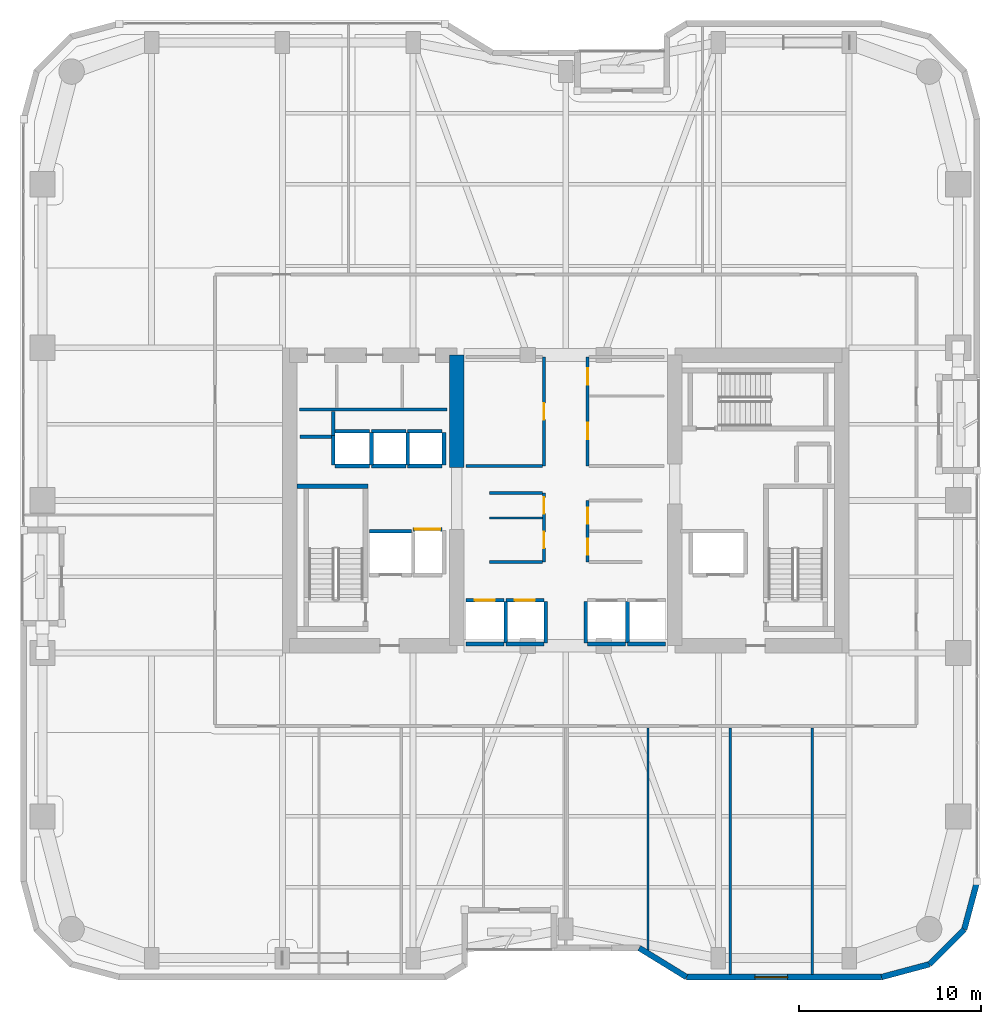
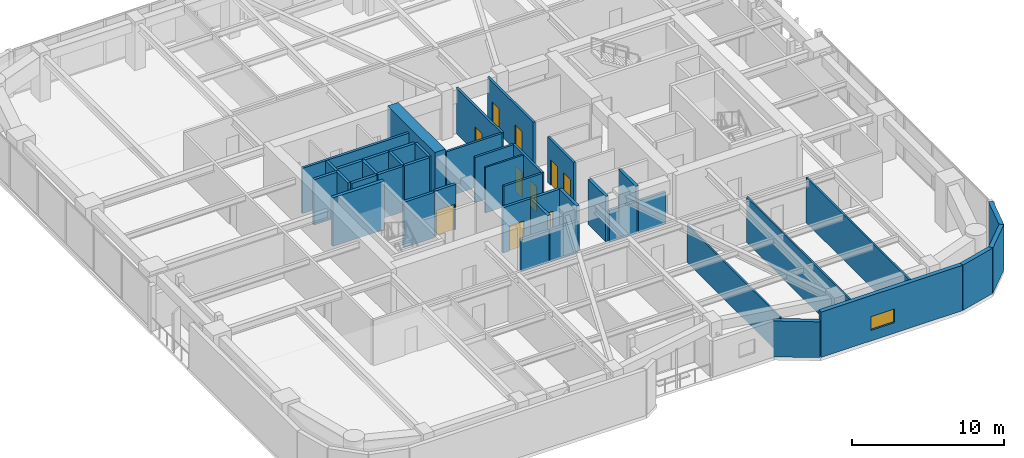
# One storey, part 19 of 24: 43 walls, 10 doors, 1 window, 11 openings.
"""IFC4 building model written with IfcOpenShell, lengths in metres."""

from ifc_helpers import new_model, si_unit, direction, frame, frame_2d, origin, place, context, subcontext, project, spatial, rectangle, extrude, material, layer, layer_set, type_object, element, fill, save


model = new_model("IFC4")

# Units and contexts
model_context = context("Model", 3, precision=1e-05, world=origin(), true_north=direction((0.0, 1.0)))
body_context = subcontext(model_context, "Body", "Model", "MODEL_VIEW")
ifc_project = project(units=[si_unit("LENGTHUNIT", "METRE"), si_unit("AREAUNIT", "SQUARE_METRE"), si_unit("VOLUMEUNIT", "CUBIC_METRE"), si_unit("PLANEANGLEUNIT", "RADIAN"), si_unit("MASSUNIT", "GRAM", prefix="KILO")], contexts=[model_context])

# Site, building, storey
site_placement = place(None, origin())
site = spatial("IfcSite", under=ifc_project, at=site_placement, CompositionType="ELEMENT")
building_placement = place(site_placement, origin())
building = spatial("IfcBuilding", under=site, at=building_placement, Name="Kiyonajd Concourse Tower", CompositionType="ELEMENT")
storey_placement = place(building_placement, frame((0.0, 0.0, 109.199951171875)))
storey = spatial("IfcBuildingStorey", under=building, at=storey_placement, Name="L28", CompositionType="ELEMENT", Elevation=109.199951171875)

# Walls
ifc_material_1 = material(Name="Concrete C70/85", Category="concrete")
ifc_layer_1 = layer(ifc_material_1, 0.800048828125)
ifc_layer_set_1 = layer_set([ifc_layer_1], Name="Concrete C70/85")
wall_type_1 = type_object("IfcWallType", Name="WL-CORE-800", PredefinedType="SHEAR", material=ifc_layer_set_1)
wall_1_placement = place(storey_placement, frame((42.0, 37.800048828125, 0.0), z_axis=(0.0, 0.0, 1.0), x_axis=(0.0, 1.0, 0.0)))
element("IfcWall", 1, at=wall_1_placement, inside=storey, type_object=wall_type_1, Name="L28 West Core Inner North Shear Wall", PredefinedType="SHEAR", context=body_context, shape_type="SweptSolid", body=[
    extrude(rectangle(XDim=6.199951171875, YDim=0.800048828125, at=frame_2d((3.10009765625, 0.0))), origin(), (0.0, 0.0, 1.0), 3.900146484375),
])
ifc_material_2 = material(Name="Precast concrete C50/60", Category="concrete")
ifc_layer_2 = layer(ifc_material_2, 0.320068359375)
ifc_layer_set_2 = layer_set([ifc_layer_2], Name="Precast concrete C50/60")
wall_type_2 = type_object("IfcWallType", Name="WL-EXT-320", PredefinedType="SOLIDWALL", material=ifc_layer_set_2)
wall_2_placement = place(storey_placement, frame((70.639892578125, 15.02099609375, 0.0), z_axis=(0.0, 0.0, 1.0), x_axis=(-0.258613949072, -0.965980758269, 0.0)))
element("IfcWall", 2, at=wall_2_placement, inside=storey, type_object=wall_type_2, Name="L28 Exterior Concrete Frame Wall 25", PredefinedType="SOLIDWALL", context=body_context, shape_type="SweptSolid", body=[
    extrude(rectangle(XDim=2.731201171875, YDim=0.320068359375, at=frame_2d((1.36572265625, 0.0))), origin(), (0.0, 0.0, 1.0), 3.64013671875),
])
wall_3_placement = place(storey_placement, frame((69.93359375, 12.3828125, 0.0), z_axis=(0.0, 0.0, 1.0), x_axis=(-0.707151821269, -0.707061738235, 0.0)))
element("IfcWall", 3, at=wall_3_placement, inside=storey, type_object=wall_type_2, Name="L28 Exterior Concrete Frame Wall 26", PredefinedType="SOLIDWALL", context=body_context, shape_type="SweptSolid", body=[
    extrude(rectangle(XDim=2.710205078125, YDim=0.320068359375, at=frame_2d((1.35498046875, 0.0))), origin(), (0.0, 0.0, 1.0), 3.64013671875),
])
wall_4_placement = place(storey_placement, frame((68.01708984375, 10.466552734375, 0.0), z_axis=(0.0, 0.0, 1.0), x_axis=(-0.965958423373, -0.25869736047, 0.0)))
element("IfcWall", 4, at=wall_4_placement, inside=storey, type_object=wall_type_2, Name="L28 Exterior Concrete Frame Wall 27", PredefinedType="SOLIDWALL", context=body_context, shape_type="SweptSolid", body=[
    extrude(rectangle(XDim=2.731201171875, YDim=0.320068359375, at=frame_2d((1.36572265625, 0.0))), origin(), (0.0, 0.0, 1.0), 3.64013671875),
])

# Wall, opening, window
wall_5_placement = place(storey_placement, frame((65.37890625, 9.760009765625, 0.0), z_axis=(0.0, 0.0, 1.0), x_axis=(-1.0, 0.0, 0.0)))
wall_5 = element("IfcWall", 5, at=wall_5_placement, inside=storey, type_object=wall_type_2, Name="L28 Exterior Concrete Frame Wall 28", PredefinedType="SOLIDWALL", context=body_context, shape_type="SweptSolid", body=[
    extrude(rectangle(XDim=10.733642578125, YDim=0.320068359375, at=frame_2d((5.36669921875, 0.0))), origin(), (0.0, 0.0, 1.0), 3.64013671875),
])
opening_1_placement = place(wall_5_placement, frame((5.1689453125, 0.0, 0.85009765625)))
opening_1 = element("IfcOpeningElement", 6, at=opening_1_placement, cuts=wall_5, Name="Opening WN1", PredefinedType="OPENING", context=body_context, shape_type="SweptSolid", body=[
    extrude(rectangle(XDim=1.800048828125, YDim=1.10009765625, at=frame_2d((0.89990234375, 0.550048828125))), frame((0.0, 0.169921875, 0.0), z_axis=(0.0, -1.0, 0.0), x_axis=(1.0, 0.0, 0.0)), (0.0, 0.0, 1.0), 0.340087890625),
])
ifc_material_3 = material(Name="Double Low-E Insulated Glass", Category="glass")
window_type = type_object("IfcWindowType", Name="WN-VIS-1800x1100", PartitioningType="SINGLE_PANEL", PredefinedType="WINDOW", material=ifc_material_3)
window_placement = place(opening_1_placement, origin())
window = element("IfcWindow", 7, at=window_placement, inside=storey, type_object=window_type, Name="L28 Modular Facade Vision Window 28", OverallHeight=1.10009765625, OverallWidth=1.800048828125, PartitioningType="SINGLE_PANEL", PredefinedType="WINDOW", context=body_context, shape_type="SweptSolid", body=[
    extrude(rectangle(XDim=1.800048828125, YDim=1.10009765625, at=frame_2d((0.89990234375, 0.550048828125))), frame((0.0, 0.030029296875, 0.0), z_axis=(0.0, -1.0, 0.0), x_axis=(1.0, 0.0, 0.0)), (0.0, 0.0, 1.0), 0.06005859375),
])
fill(opening_1, window)

# Walls
wall_6_placement = place(storey_placement, frame((54.645263671875, 9.760009765625, 0.0), z_axis=(0.0, 0.0, 1.0), x_axis=(-0.851630857047, 0.524142044989, 0.0)))
element("IfcWall", 8, at=wall_6_placement, inside=storey, type_object=wall_type_2, Name="L28 Exterior Concrete Frame Wall 29", PredefinedType="SOLIDWALL", context=body_context, shape_type="SweptSolid", body=[
    extrude(rectangle(XDim=3.052734375, YDim=0.320068359375, at=frame_2d((1.5263671875, 0.0))), origin(), (0.0, 0.0, 1.0), 2.875),
])
ifc_material_4 = material(Name="Gypsum Board on Cold-Formed Steel Stud", Category="steel")
ifc_layer_3 = layer(ifc_material_4, 0.125)
ifc_layer_set_3 = layer_set([ifc_layer_3], Name="Gypsum Board on Cold-Formed Steel Stud")
wall_type_3 = type_object("IfcWallType", Name="WL-PART-125", PredefinedType="PARTITIONING", material=ifc_layer_set_3)
wall_7_placement = place(storey_placement, frame((43.800048828125, 35.031982421875, 0.0), z_axis=(0.0, 0.0, 1.0), x_axis=(1.0, 0.0, 0.0)))
element("IfcWall", 9, at=wall_7_placement, inside=storey, type_object=wall_type_3, Name="L28 Interior Partition Wall", PredefinedType="PARTITIONING", context=body_context, shape_type="SweptSolid", body=[
    extrude(rectangle(XDim=2.912841796875, YDim=0.125, at=frame_2d((1.45654296875, 0.0))), origin(), (0.0, 0.0, 1.0), 3.64013671875),
])
wall_8_placement = place(storey_placement, frame((52.52001953125, 11.222900390625, 0.0), z_axis=(0.0, 0.0, 1.0), x_axis=(0.0, 1.0, 0.0)))
element("IfcWall", 10, at=wall_8_placement, inside=storey, type_object=wall_type_3, Name="L28 Interior Partition Wall", PredefinedType="PARTITIONING", context=body_context, shape_type="SweptSolid", body=[
    extrude(rectangle(XDim=12.260009765625, YDim=0.125, at=frame_2d((6.1298828125, 0.0))), origin(), (0.0, 0.0, 1.0), 3.0029296875),
])
for number, where, z_axis, x_axis, name in (
    (11, (57.050048828125, 9.9150390625, 0.0), (0.0, 0.0, 1.0), (0.0, 1.0, 0.0), "L28 Interior Partition Wall"),
    (12, (61.570068359375, 9.9150390625, 0.0), (0.0, 0.0, 1.0), (0.0, 1.0, 0.0), "L28 Interior Partition Wall"),
):
    element("IfcWall", number, at=place(storey_placement, frame(where, z_axis=z_axis, x_axis=x_axis)), inside=storey, type_object=wall_type_3, Name=name, PredefinedType="PARTITIONING", context=body_context, shape_type="SweptSolid", body=[
        extrude(rectangle(XDim=13.56787109375, YDim=0.125, at=frame_2d((6.783935546875, 0.0))), origin(), (0.0, 0.0, 1.0), 3.64013671875),
    ])
ifc_layer_4 = layer(ifc_material_4, 0.18994140625)
ifc_layer_set_4 = layer_set([ifc_layer_4], Name="Gypsum Board on Cold-Formed Steel Stud")
wall_type_4 = type_object("IfcWallType", Name="WL-PLMB-190", PredefinedType="PLUMBINGWALL", material=ifc_layer_set_4)
wall_9_placement = place(storey_placement, frame((33.35009765625, 41.0, 0.0), z_axis=(0.0, 0.0, 1.0), x_axis=(1.0, 0.0, 0.0)))
element("IfcWall", 13, at=wall_9_placement, inside=storey, type_object=wall_type_4, Name="L28 Interior Partition Wall", PredefinedType="PLUMBINGWALL", context=body_context, shape_type="SweptSolid", body=[
    extrude(rectangle(XDim=8.099853515625, YDim=0.18994140625, at=frame_2d((4.0498046875, 0.0))), origin(), (0.0, 0.0, 1.0), 3.64013671875),
])
ifc_layer_5 = layer(ifc_material_4, 0.2099609375)
ifc_layer_set_5 = layer_set([ifc_layer_5], Name="Gypsum Board on Cold-Formed Steel Stud")
wall_type_5 = type_object("IfcWallType", Name="WL-SHAFT-210", PredefinedType="PARTITIONING", material=ifc_layer_set_5)
wall_10_placement = place(storey_placement, frame((33.360107421875, 39.5, 0.0), z_axis=(0.0, 0.0, 1.0), x_axis=(1.0, 0.0, 0.0)))
element("IfcWall", 14, at=wall_10_placement, inside=storey, type_object=wall_type_5, Name="L28 Shaft Enclosure Wall", PredefinedType="PARTITIONING", context=body_context, shape_type="SweptSolid", body=[
    extrude(rectangle(XDim=1.85986328125, YDim=0.2099609375, at=frame_2d((0.929931640625, 0.0))), origin(), (0.0, 0.0, 1.0), 3.64013671875),
])
wall_11_placement = place(storey_placement, frame((35.199951171875, 39.580078125, 0.0), z_axis=(0.0, 0.0, 1.0), x_axis=(0.0, 1.0, 0.0)))
element("IfcWall", 15, at=wall_11_placement, inside=storey, type_object=wall_type_5, Name="L28 Shaft Enclosure Wall", PredefinedType="PARTITIONING", context=body_context, shape_type="SweptSolid", body=[
    extrude(rectangle(XDim=1.31982421875, YDim=0.2099609375, at=frame_2d((0.659912109375, 0.0))), origin(), (0.0, 0.0, 1.0), 3.64013671875),
])
wall_12_placement = place(storey_placement, frame((37.199951171875, 34.300048828125, 0.0), z_axis=(0.0, 0.0, 1.0), x_axis=(1.0, 0.0, 0.0)))
element("IfcWall", 16, at=wall_12_placement, inside=storey, type_object=wall_type_5, Name="L28 Shaft Enclosure Wall", PredefinedType="PARTITIONING", context=body_context, shape_type="SweptSolid", body=[
    extrude(rectangle(XDim=2.300048828125, YDim=0.2099609375, at=frame_2d((1.14990234375, 0.0))), origin(), (0.0, 0.0, 1.0), 3.64013671875),
])

# Wall, opening, door
wall_13_placement = place(storey_placement, frame((39.60009765625, 34.39990234375, 0.0), z_axis=(0.0, 0.0, 1.0), x_axis=(1.0, 0.0, 0.0)))
wall_13 = element("IfcWall", 17, at=wall_13_placement, inside=storey, type_object=wall_type_5, Name="L28 Shaft Enclosure Wall", PredefinedType="PARTITIONING", context=body_context, shape_type="SweptSolid", body=[
    extrude(rectangle(XDim=1.599853515625, YDim=0.2099609375, at=frame_2d((0.7998046875, 0.0))), origin(), (0.0, 0.0, 1.0), 3.64013671875),
])
opening_2_placement = place(wall_13_placement, frame((0.10009765625, 0.0, 0.0)))
opening_2 = element("IfcOpeningElement", 18, at=opening_2_placement, cuts=wall_13, Name="Opening LD3", PredefinedType="OPENING", context=body_context, shape_type="SweptSolid", body=[
    extrude(rectangle(XDim=1.39990234375, YDim=2.06005859375, at=frame_2d((0.699951171875, 1.030029296875))), frame((0.0, 0.114990234375, 0.0), z_axis=(0.0, -1.0, 0.0), x_axis=(1.0, 0.0, 0.0)), (0.0, 0.0, 1.0), 0.22998046875),
])
ifc_material_5 = material(Name="Brushed Stainless Steel Cab Assembly", Category="steel")
door_type_1 = type_object("IfcDoorType", Name="DR-LD-1400", OperationType="DOUBLE_DOOR_SLIDING", PredefinedType="DOOR", material=ifc_material_5)
door_1_placement = place(opening_2_placement, origin())
door_1 = element("IfcDoor", 19, at=door_1_placement, inside=storey, type_object=door_type_1, Name="L28 Lift SVL1 Sliding Landing Door", OperationType="DOUBLE_DOOR_SLIDING", OverallHeight=2.06005859375, OverallWidth=1.39990234375, PredefinedType="DOOR", context=body_context, shape_type="SweptSolid", body=[
    extrude(rectangle(XDim=1.39990234375, YDim=2.06005859375, at=frame_2d((0.699951171875, 1.030029296875))), frame((0.0, 0.02490234375, 0.0), z_axis=(0.0, -1.0, 0.0), x_axis=(1.0, 0.0, 0.0)), (0.0, 0.0, 1.0), 0.050048828125),
])
fill(opening_2, door_1)

wall_14_placement = place(storey_placement, frame((42.5, 30.5, 0.0), z_axis=(0.0, 0.0, 1.0), x_axis=(1.0, 0.0, 0.0)))
wall_14 = element("IfcWall", 20, at=wall_14_placement, inside=storey, type_object=wall_type_5, Name="L28 Shaft Enclosure Wall", PredefinedType="PARTITIONING", context=body_context, shape_type="SweptSolid", body=[
    extrude(rectangle(XDim=2.10009765625, YDim=0.2099609375, at=frame_2d((1.050048828125, 0.0))), origin(), (0.0, 0.0, 1.0), 3.64013671875),
])
opening_3_placement = place(wall_14_placement, frame((0.5, 0.0, 0.0)))
opening_3 = element("IfcOpeningElement", 21, at=opening_3_placement, cuts=wall_14, Name="Opening LD1", PredefinedType="OPENING", context=body_context, shape_type="SweptSolid", body=[
    extrude(rectangle(XDim=1.10009765625, YDim=2.0400390625, at=frame_2d((0.550048828125, 1.02001953125))), frame((0.0, 0.114990234375, 0.0), z_axis=(0.0, -1.0, 0.0), x_axis=(1.0, 0.0, 0.0)), (0.0, 0.0, 1.0), 0.22998046875),
])
door_type_2 = type_object("IfcDoorType", Name="DR-LD-1100", OperationType="DOUBLE_DOOR_SLIDING", PredefinedType="DOOR", material=ifc_material_5)
door_2_placement = place(opening_3_placement, origin())
door_2 = element("IfcDoor", 22, at=door_2_placement, inside=storey, type_object=door_type_2, Name="L28 Lift PL-L1 Sliding Landing Door", OperationType="DOUBLE_DOOR_SLIDING", OverallHeight=2.0400390625, OverallWidth=1.10009765625, PredefinedType="DOOR", context=body_context, shape_type="SweptSolid", body=[
    extrude(rectangle(XDim=1.10009765625, YDim=2.0400390625, at=frame_2d((0.550048828125, 1.02001953125))), frame((0.0, 0.02490234375, 0.0), z_axis=(0.0, -1.0, 0.0), x_axis=(1.0, 0.0, 0.0)), (0.0, 0.0, 1.0), 0.050048828125),
])
fill(opening_3, door_2)

# Walls
wall_15_placement = place(storey_placement, frame((42.5, 28.10009765625, 0.0), z_axis=(0.0, 0.0, 1.0), x_axis=(1.0, 0.0, 0.0)))
element("IfcWall", 23, at=wall_15_placement, inside=storey, type_object=wall_type_5, Name="L28 Shaft Enclosure Wall", PredefinedType="PARTITIONING", context=body_context, shape_type="SweptSolid", body=[
    extrude(rectangle(XDim=2.10009765625, YDim=0.2099609375, at=frame_2d((1.050048828125, 0.0))), origin(), (0.0, 0.0, 1.0), 2.525146484375),
])
wall_16_placement = place(storey_placement, frame((44.699951171875, 28.159912109375, 0.0), z_axis=(0.0, 0.0, 1.0), x_axis=(0.0, 1.0, 0.0)))
element("IfcWall", 24, at=wall_16_placement, inside=storey, type_object=wall_type_5, Name="L28 Shaft Enclosure Wall", PredefinedType="PARTITIONING", context=body_context, shape_type="SweptSolid", body=[
    extrude(rectangle(XDim=2.280029296875, YDim=0.2099609375, at=frame_2d((1.14013671875, 0.0))), origin(), (0.0, 0.0, 1.0), 3.64013671875),
])

# Wall, opening, door
wall_17_placement = place(storey_placement, frame((44.699951171875, 30.5, 0.0), z_axis=(0.0, 0.0, 1.0), x_axis=(1.0, 0.0, 0.0)))
wall_17 = element("IfcWall", 25, at=wall_17_placement, inside=storey, type_object=wall_type_5, Name="L28 Shaft Enclosure Wall", PredefinedType="PARTITIONING", context=body_context, shape_type="SweptSolid", body=[
    extrude(rectangle(XDim=2.10009765625, YDim=0.2099609375, at=frame_2d((1.050048828125, 0.0))), origin(), (0.0, 0.0, 1.0), 3.64013671875),
])
opening_4_placement = place(wall_17_placement, frame((0.5, 0.0, 0.0)))
opening_4 = element("IfcOpeningElement", 26, at=opening_4_placement, cuts=wall_17, Name="Opening LD1", PredefinedType="OPENING", context=body_context, shape_type="SweptSolid", body=[
    extrude(rectangle(XDim=1.10009765625, YDim=2.0400390625, at=frame_2d((0.550048828125, 1.02001953125))), frame((0.0, 0.114990234375, 0.0), z_axis=(0.0, -1.0, 0.0), x_axis=(1.0, 0.0, 0.0)), (0.0, 0.0, 1.0), 0.22998046875),
])
door_3_placement = place(opening_4_placement, origin())
door_3 = element("IfcDoor", 27, at=door_3_placement, inside=storey, type_object=door_type_2, Name="L28 Lift PL-L2 Sliding Landing Door", OperationType="DOUBLE_DOOR_SLIDING", OverallHeight=2.0400390625, OverallWidth=1.10009765625, PredefinedType="DOOR", context=body_context, shape_type="SweptSolid", body=[
    extrude(rectangle(XDim=1.10009765625, YDim=2.0400390625, at=frame_2d((0.550048828125, 1.02001953125))), frame((0.0, 0.02490234375, 0.0), z_axis=(0.0, -1.0, 0.0), x_axis=(1.0, 0.0, 0.0)), (0.0, 0.0, 1.0), 0.050048828125),
])
fill(opening_4, door_3)

# Walls
wall_18_placement = place(storey_placement, frame((44.699951171875, 28.10009765625, 0.0), z_axis=(0.0, 0.0, 1.0), x_axis=(1.0, 0.0, 0.0)))
element("IfcWall", 28, at=wall_18_placement, inside=storey, type_object=wall_type_5, Name="L28 Shaft Enclosure Wall", PredefinedType="PARTITIONING", context=body_context, shape_type="SweptSolid", body=[
    extrude(rectangle(XDim=2.10009765625, YDim=0.2099609375, at=frame_2d((1.050048828125, 0.0))), origin(), (0.0, 0.0, 1.0), 2.525146484375),
])
wall_19_placement = place(storey_placement, frame((46.89990234375, 28.159912109375, 0.0), z_axis=(0.0, 0.0, 1.0), x_axis=(0.0, 1.0, 0.0)))
element("IfcWall", 29, at=wall_19_placement, inside=storey, type_object=wall_type_5, Name="L28 Shaft Enclosure Wall", PredefinedType="PARTITIONING", context=body_context, shape_type="SweptSolid", body=[
    extrude(rectangle(XDim=2.280029296875, YDim=0.2099609375, at=frame_2d((1.14013671875, 0.0))), origin(), (0.0, 0.0, 1.0), 3.64013671875),
])
wall_20_placement = place(storey_placement, frame((49.199951171875, 28.10009765625, 0.0), z_axis=(0.0, 0.0, 1.0), x_axis=(1.0, 0.0, 0.0)))
element("IfcWall", 30, at=wall_20_placement, inside=storey, type_object=wall_type_5, Name="L28 Shaft Enclosure Wall", PredefinedType="PARTITIONING", context=body_context, shape_type="SweptSolid", body=[
    extrude(rectangle(XDim=2.10009765625, YDim=0.2099609375, at=frame_2d((1.050048828125, 0.0))), origin(), (0.0, 0.0, 1.0), 2.525146484375),
])
for number, where, z_axis, x_axis, name in (
    (31, (49.10009765625, 28.159912109375, 0.0), (0.0, 0.0, 1.0), (0.0, 1.0, 0.0), "L28 Shaft Enclosure Wall"),
    (32, (51.39990234375, 28.159912109375, 0.0), (0.0, 0.0, 1.0), (0.0, 1.0, 0.0), "L28 Shaft Enclosure Wall"),
):
    element("IfcWall", number, at=place(storey_placement, frame(where, z_axis=z_axis, x_axis=x_axis)), inside=storey, type_object=wall_type_5, Name=name, PredefinedType="PARTITIONING", context=body_context, shape_type="SweptSolid", body=[
        extrude(rectangle(XDim=2.280029296875, YDim=0.2099609375, at=frame_2d((1.14013671875, 0.0))), origin(), (0.0, 0.0, 1.0), 3.64013671875),
    ])
wall_21_placement = place(storey_placement, frame((51.39990234375, 28.10009765625, 0.0), z_axis=(0.0, 0.0, 1.0), x_axis=(1.0, 0.0, 0.0)))
element("IfcWall", 33, at=wall_21_placement, inside=storey, type_object=wall_type_5, Name="L28 Shaft Enclosure Wall", PredefinedType="PARTITIONING", context=body_context, shape_type="SweptSolid", body=[
    extrude(rectangle(XDim=2.10009765625, YDim=0.2099609375, at=frame_2d((1.050048828125, 0.0))), origin(), (0.0, 0.0, 1.0), 2.525146484375),
])
for number, where, z_axis, x_axis, name in (
    (34, (35.300048828125, 37.89990234375, 0.0), (0.0, 0.0, 1.0), (1.0, 0.0, 0.0), "L28 Shaft Enclosure Wall"),
    (35, (35.300048828125, 39.800048828125, 0.0), (0.0, 0.0, 1.0), (1.0, 0.0, 0.0), "L28 Shaft Enclosure Wall"),
):
    element("IfcWall", number, at=place(storey_placement, frame(where, z_axis=z_axis, x_axis=x_axis)), inside=storey, type_object=wall_type_5, Name=name, PredefinedType="PARTITIONING", context=body_context, shape_type="SweptSolid", body=[
        extrude(rectangle(XDim=1.89990234375, YDim=0.2099609375, at=frame_2d((0.949951171875, 0.0))), origin(), (0.0, 0.0, 1.0), 3.64013671875),
    ])
wall_22_placement = place(storey_placement, frame((35.199951171875, 37.9599609375, 0.0), z_axis=(0.0, 0.0, 1.0), x_axis=(0.0, 1.0, 0.0)))
element("IfcWall", 36, at=wall_22_placement, inside=storey, type_object=wall_type_5, Name="L28 Shaft Enclosure Wall", PredefinedType="PARTITIONING", context=body_context, shape_type="SweptSolid", body=[
    extrude(rectangle(XDim=1.6201171875, YDim=0.2099609375, at=frame_2d((0.81005859375, 0.0))), origin(), (0.0, 0.0, 1.0), 3.64013671875),
])
wall_23_placement = place(storey_placement, frame((37.300048828125, 37.9599609375, 0.0), z_axis=(0.0, 0.0, 1.0), x_axis=(0.0, 1.0, 0.0)))
element("IfcWall", 37, at=wall_23_placement, inside=storey, type_object=wall_type_5, Name="L28 Shaft Enclosure Wall", PredefinedType="PARTITIONING", context=body_context, shape_type="SweptSolid", body=[
    extrude(rectangle(XDim=1.780029296875, YDim=0.2099609375, at=frame_2d((0.89013671875, 0.0))), origin(), (0.0, 0.0, 1.0), 3.64013671875),
])
for number, where, z_axis, x_axis, name in (
    (38, (37.300048828125, 37.89990234375, 0.0), (0.0, 0.0, 1.0), (1.0, 0.0, 0.0), "L28 Shaft Enclosure Wall"),
    (39, (37.300048828125, 39.800048828125, 0.0), (0.0, 0.0, 1.0), (1.0, 0.0, 0.0), "L28 Shaft Enclosure Wall"),
):
    element("IfcWall", number, at=place(storey_placement, frame(where, z_axis=z_axis, x_axis=x_axis)), inside=storey, type_object=wall_type_5, Name=name, PredefinedType="PARTITIONING", context=body_context, shape_type="SweptSolid", body=[
        extrude(rectangle(XDim=1.89990234375, YDim=0.2099609375, at=frame_2d((0.949951171875, 0.0))), origin(), (0.0, 0.0, 1.0), 3.64013671875),
    ])
wall_24_placement = place(storey_placement, frame((39.300048828125, 37.9599609375, 0.0), z_axis=(0.0, 0.0, 1.0), x_axis=(0.0, 1.0, 0.0)))
element("IfcWall", 40, at=wall_24_placement, inside=storey, type_object=wall_type_5, Name="L28 Shaft Enclosure Wall", PredefinedType="PARTITIONING", context=body_context, shape_type="SweptSolid", body=[
    extrude(rectangle(XDim=1.780029296875, YDim=0.2099609375, at=frame_2d((0.89013671875, 0.0))), origin(), (0.0, 0.0, 1.0), 3.64013671875),
])
for number, where, z_axis, x_axis, name in (
    (41, (39.300048828125, 37.89990234375, 0.0), (0.0, 0.0, 1.0), (1.0, 0.0, 0.0), "L28 Shaft Enclosure Wall"),
    (42, (39.300048828125, 39.800048828125, 0.0), (0.0, 0.0, 1.0), (1.0, 0.0, 0.0), "L28 Shaft Enclosure Wall"),
):
    element("IfcWall", number, at=place(storey_placement, frame(where, z_axis=z_axis, x_axis=x_axis)), inside=storey, type_object=wall_type_5, Name=name, PredefinedType="PARTITIONING", context=body_context, shape_type="SweptSolid", body=[
        extrude(rectangle(XDim=1.89990234375, YDim=0.2099609375, at=frame_2d((0.949951171875, 0.0))), origin(), (0.0, 0.0, 1.0), 3.64013671875),
    ])
wall_25_placement = place(storey_placement, frame((41.300048828125, 37.9599609375, 0.0), z_axis=(0.0, 0.0, 1.0), x_axis=(0.0, 1.0, 0.0)))
element("IfcWall", 43, at=wall_25_placement, inside=storey, type_object=wall_type_5, Name="L28 Shaft Enclosure Wall", PredefinedType="PARTITIONING", context=body_context, shape_type="SweptSolid", body=[
    extrude(rectangle(XDim=1.780029296875, YDim=0.2099609375, at=frame_2d((0.89013671875, 0.0))), origin(), (0.0, 0.0, 1.0), 3.64013671875),
])

# Wall, openings, doors
ifc_layer_6 = layer(ifc_material_4, 0.169921875)
ifc_layer_set_6 = layer_set([ifc_layer_6], Name="Gypsum Board on Cold-Formed Steel Stud")
wall_type_6 = type_object("IfcWallType", Name="WL-SMK-170", PredefinedType="PARTITIONING", material=ifc_layer_set_6)
wall_26_placement = place(storey_placement, frame((46.800048828125, 32.60009765625, 0.0), z_axis=(0.0, 0.0, 1.0), x_axis=(0.0, 1.0, 0.0)))
wall_26 = element("IfcWall", 44, at=wall_26_placement, inside=storey, type_object=wall_type_6, Name="L28 Interior Partition Wall", PredefinedType="PARTITIONING", context=body_context, shape_type="SweptSolid", body=[
    extrude(rectangle(XDim=3.7998046875, YDim=0.169921875, at=frame_2d((1.89990234375, 0.0))), origin(), (0.0, 0.0, 1.0), 3.64013671875),
])
opening_5_placement = place(wall_26_placement, frame((0.76611328125, 0.0, 0.0)))
opening_5 = element("IfcOpeningElement", 45, at=opening_5_placement, cuts=wall_26, Name="Opening DF4", PredefinedType="OPENING", context=body_context, shape_type="SweptSolid", body=[
    extrude(rectangle(XDim=0.89990234375, YDim=2.02001953125, at=frame_2d((0.449951171875, 1.010009765625))), frame((0.0, 0.094970703125, 0.0), z_axis=(0.0, -1.0, 0.0), x_axis=(1.0, 0.0, 0.0)), (0.0, 0.0, 1.0), 0.18994140625),
])
opening_6_placement = place(wall_26_placement, frame((2.666015625, 0.0, 0.0)))
opening_6 = element("IfcOpeningElement", 46, at=opening_6_placement, cuts=wall_26, Name="Opening DF4", PredefinedType="OPENING", context=body_context, shape_type="SweptSolid", body=[
    extrude(rectangle(XDim=0.89990234375, YDim=2.02001953125, at=frame_2d((0.449951171875, 1.010009765625))), frame((0.0, 0.094970703125, 0.0), z_axis=(0.0, -1.0, 0.0), x_axis=(1.0, 0.0, 0.0)), (0.0, 0.0, 1.0), 0.18994140625),
])
door_type_3 = type_object("IfcDoorType", Name="DR-FD60-900", OperationType="NOTDEFINED", PredefinedType="DOOR", material=ifc_material_5)
door_4_placement = place(opening_5_placement, origin())
door_4 = element("IfcDoor", 47, at=door_4_placement, inside=storey, type_object=door_type_3, Name="L28 Interior Door", OperationType="SINGLE_SWING_LEFT", OverallHeight=2.02001953125, OverallWidth=0.89990234375, PredefinedType="DOOR", context=body_context, shape_type="SweptSolid", body=[
    extrude(rectangle(XDim=0.89990234375, YDim=2.02001953125, at=frame_2d((0.449951171875, 1.010009765625))), frame((0.0, 0.02490234375, 0.0), z_axis=(0.0, -1.0, 0.0), x_axis=(1.0, 0.0, 0.0)), (0.0, 0.0, 1.0), 0.050048828125),
])
fill(opening_5, door_4)
door_5_placement = place(opening_6_placement, origin())
door_5 = element("IfcDoor", 48, at=door_5_placement, inside=storey, type_object=door_type_3, Name="L28 Interior Door", OperationType="SINGLE_SWING_RIGHT", OverallHeight=2.02001953125, OverallWidth=0.89990234375, PredefinedType="DOOR", context=body_context, shape_type="SweptSolid", body=[
    extrude(rectangle(XDim=0.89990234375, YDim=2.02001953125, at=frame_2d((0.449951171875, 1.010009765625))), frame((0.0, 0.02490234375, 0.0), z_axis=(0.0, -1.0, 0.0), x_axis=(1.0, 0.0, 0.0)), (0.0, 0.0, 1.0), 0.050048828125),
])
fill(opening_6, door_5)

# Walls
for number, where, z_axis, x_axis, name in (
    (49, (43.800048828125, 32.60009765625, 0.0), (0.0, 0.0, 1.0), (1.0, 0.0, 0.0), "L28 Interior Partition Wall"),
    (50, (43.800048828125, 36.39990234375, 0.0), (0.0, 0.0, 1.0), (1.0, 0.0, 0.0), "L28 Interior Partition Wall"),
):
    element("IfcWall", number, at=place(storey_placement, frame(where, z_axis=z_axis, x_axis=x_axis)), inside=storey, type_object=wall_type_6, Name=name, PredefinedType="PARTITIONING", context=body_context, shape_type="SweptSolid", body=[
        extrude(rectangle(XDim=2.912841796875, YDim=0.169921875, at=frame_2d((1.45654296875, 0.0))), origin(), (0.0, 0.0, 1.0), 3.64013671875),
    ])

# Wall, openings, doors
wall_27_placement = place(storey_placement, frame((49.199951171875, 32.60009765625, 0.0), z_axis=(0.0, 0.0, 1.0), x_axis=(0.0, 1.0, 0.0)))
wall_27 = element("IfcWall", 51, at=wall_27_placement, inside=storey, type_object=wall_type_6, Name="L28 Interior Partition Wall", PredefinedType="PARTITIONING", context=body_context, shape_type="SweptSolid", body=[
    extrude(rectangle(XDim=3.39990234375, YDim=0.169921875, at=frame_2d((1.699951171875, 0.0))), origin(), (0.0, 0.0, 1.0), 3.64013671875),
])
opening_7_placement = place(wall_27_placement, frame((0.39990234375, 0.0, 0.0)))
opening_7 = element("IfcOpeningElement", 52, at=opening_7_placement, cuts=wall_27, Name="Opening DI2", PredefinedType="OPENING", context=body_context, shape_type="SweptSolid", body=[
    extrude(rectangle(XDim=0.89990234375, YDim=2.02001953125, at=frame_2d((0.449951171875, 1.010009765625))), frame((0.0, 0.094970703125, 0.0), z_axis=(0.0, -1.0, 0.0), x_axis=(1.0, 0.0, 0.0)), (0.0, 0.0, 1.0), 0.18994140625),
])
opening_8_placement = place(wall_27_placement, frame((2.10009765625, 0.0, 0.0)))
opening_8 = element("IfcOpeningElement", 53, at=opening_8_placement, cuts=wall_27, Name="Opening DI2", PredefinedType="OPENING", context=body_context, shape_type="SweptSolid", body=[
    extrude(rectangle(XDim=0.89990234375, YDim=2.02001953125, at=frame_2d((0.449951171875, 1.010009765625))), frame((0.0, 0.094970703125, 0.0), z_axis=(0.0, -1.0, 0.0), x_axis=(1.0, 0.0, 0.0)), (0.0, 0.0, 1.0), 0.18994140625),
])
ifc_material_6 = material(Name="Natural Oak Acoustic Timber Veneer", Category="wood")
door_type_4 = type_object("IfcDoorType", Name="DR-INT-900", OperationType="NOTDEFINED", PredefinedType="DOOR", material=ifc_material_6)
door_6_placement = place(opening_7_placement, origin())
door_6 = element("IfcDoor", 54, at=door_6_placement, inside=storey, type_object=door_type_4, Name="L28 Interior Door", OperationType="SINGLE_SWING_LEFT", OverallHeight=2.02001953125, OverallWidth=0.89990234375, PredefinedType="DOOR", context=body_context, shape_type="SweptSolid", body=[
    extrude(rectangle(XDim=0.89990234375, YDim=2.02001953125, at=frame_2d((0.449951171875, 1.010009765625))), frame((0.0, 0.02490234375, 0.0), z_axis=(0.0, -1.0, 0.0), x_axis=(1.0, 0.0, 0.0)), (0.0, 0.0, 1.0), 0.050048828125),
])
fill(opening_7, door_6)
door_7_placement = place(opening_8_placement, origin())
door_7 = element("IfcDoor", 55, at=door_7_placement, inside=storey, type_object=door_type_4, Name="L28 Interior Door", OperationType="SINGLE_SWING_RIGHT", OverallHeight=2.02001953125, OverallWidth=0.89990234375, PredefinedType="DOOR", context=body_context, shape_type="SweptSolid", body=[
    extrude(rectangle(XDim=0.89990234375, YDim=2.02001953125, at=frame_2d((0.449951171875, 1.010009765625))), frame((0.0, 0.02490234375, 0.0), z_axis=(0.0, -1.0, 0.0), x_axis=(1.0, 0.0, 0.0)), (0.0, 0.0, 1.0), 0.050048828125),
])
fill(opening_8, door_7)

# Wall, opening, door
wall_28_placement = place(storey_placement, frame((46.800048828125, 37.89990234375, 0.0), z_axis=(0.0, 0.0, 1.0), x_axis=(0.0, 1.0, 0.0)))
wall_28 = element("IfcWall", 56, at=wall_28_placement, inside=storey, type_object=wall_type_6, Name="L28 Interior Partition Wall", PredefinedType="PARTITIONING", context=body_context, shape_type="SweptSolid", body=[
    extrude(rectangle(XDim=6.0, YDim=0.169921875, at=frame_2d((3.0, 0.0))), origin(), (0.0, 0.0, 1.0), 3.64013671875),
])
opening_9_placement = place(wall_28_placement, frame((2.550048828125, 0.0, 0.0)))
opening_9 = element("IfcOpeningElement", 57, at=opening_9_placement, cuts=wall_28, Name="Opening DI2", PredefinedType="OPENING", context=body_context, shape_type="SweptSolid", body=[
    extrude(rectangle(XDim=0.89990234375, YDim=2.02001953125, at=frame_2d((0.449951171875, 1.010009765625))), frame((0.0, 0.094970703125, 0.0), z_axis=(0.0, -1.0, 0.0), x_axis=(1.0, 0.0, 0.0)), (0.0, 0.0, 1.0), 0.18994140625),
])
door_8_placement = place(opening_9_placement, origin())
door_8 = element("IfcDoor", 58, at=door_8_placement, inside=storey, type_object=door_type_4, Name="L28 Interior Door", OperationType="SINGLE_SWING_LEFT", OverallHeight=2.02001953125, OverallWidth=0.89990234375, PredefinedType="DOOR", context=body_context, shape_type="SweptSolid", body=[
    extrude(rectangle(XDim=0.89990234375, YDim=2.02001953125, at=frame_2d((0.449951171875, 1.010009765625))), frame((0.0, 0.02490234375, 0.0), z_axis=(0.0, -1.0, 0.0), x_axis=(1.0, 0.0, 0.0)), (0.0, 0.0, 1.0), 0.050048828125),
])
fill(opening_9, door_8)

# Wall
wall_29_placement = place(storey_placement, frame((42.5, 37.89990234375, 0.0), z_axis=(0.0, 0.0, 1.0), x_axis=(1.0, 0.0, 0.0)))
element("IfcWall", 59, at=wall_29_placement, inside=storey, type_object=wall_type_6, Name="L28 Interior Partition Wall", PredefinedType="PARTITIONING", context=body_context, shape_type="SweptSolid", body=[
    extrude(rectangle(XDim=4.212890625, YDim=0.169921875, at=frame_2d((2.1064453125, 0.0))), origin(), (0.0, 0.0, 1.0), 3.64013671875),
])

# Wall, openings, doors
wall_30_placement = place(storey_placement, frame((49.199951171875, 37.89990234375, 0.0), z_axis=(0.0, 0.0, 1.0), x_axis=(0.0, 1.0, 0.0)))
wall_30 = element("IfcWall", 60, at=wall_30_placement, inside=storey, type_object=wall_type_6, Name="L28 Interior Partition Wall", PredefinedType="PARTITIONING", context=body_context, shape_type="SweptSolid", body=[
    extrude(rectangle(XDim=6.0, YDim=0.169921875, at=frame_2d((3.0, 0.0))), origin(), (0.0, 0.0, 1.0), 3.64013671875),
])
opening_10_placement = place(wall_30_placement, frame((1.469970703125, 0.0, 0.0)))
opening_10 = element("IfcOpeningElement", 61, at=opening_10_placement, cuts=wall_30, Name="Opening DF4", PredefinedType="OPENING", context=body_context, shape_type="SweptSolid", body=[
    extrude(rectangle(XDim=0.89990234375, YDim=2.02001953125, at=frame_2d((0.449951171875, 1.010009765625))), frame((0.0, 0.094970703125, 0.0), z_axis=(0.0, -1.0, 0.0), x_axis=(1.0, 0.0, 0.0)), (0.0, 0.0, 1.0), 0.18994140625),
])
opening_11_placement = place(wall_30_placement, frame((4.469970703125, 0.0, 0.0)))
opening_11 = element("IfcOpeningElement", 62, at=opening_11_placement, cuts=wall_30, Name="Opening DF4", PredefinedType="OPENING", context=body_context, shape_type="SweptSolid", body=[
    extrude(rectangle(XDim=0.89990234375, YDim=2.02001953125, at=frame_2d((0.449951171875, 1.010009765625))), frame((0.0, 0.094970703125, 0.0), z_axis=(0.0, -1.0, 0.0), x_axis=(1.0, 0.0, 0.0)), (0.0, 0.0, 1.0), 0.18994140625),
])
door_9_placement = place(opening_10_placement, origin())
door_9 = element("IfcDoor", 63, at=door_9_placement, inside=storey, type_object=door_type_3, Name="L28 Interior Door", OperationType="SINGLE_SWING_RIGHT", OverallHeight=2.02001953125, OverallWidth=0.89990234375, PredefinedType="DOOR", context=body_context, shape_type="SweptSolid", body=[
    extrude(rectangle(XDim=0.89990234375, YDim=2.02001953125, at=frame_2d((0.449951171875, 1.010009765625))), frame((0.0, 0.02490234375, 0.0), z_axis=(0.0, -1.0, 0.0), x_axis=(1.0, 0.0, 0.0)), (0.0, 0.0, 1.0), 0.050048828125),
])
fill(opening_10, door_9)
door_10_placement = place(opening_11_placement, origin())
door_10 = element("IfcDoor", 64, at=door_10_placement, inside=storey, type_object=door_type_3, Name="L28 Interior Door", OperationType="SINGLE_SWING_LEFT", OverallHeight=2.02001953125, OverallWidth=0.89990234375, PredefinedType="DOOR", context=body_context, shape_type="SweptSolid", body=[
    extrude(rectangle(XDim=0.89990234375, YDim=2.02001953125, at=frame_2d((0.449951171875, 1.010009765625))), frame((0.0, 0.02490234375, 0.0), z_axis=(0.0, -1.0, 0.0), x_axis=(1.0, 0.0, 0.0)), (0.0, 0.0, 1.0), 0.050048828125),
])
fill(opening_11, door_10)

# Wall
ifc_material_7 = material(Name="Concrete C50/60", Category="concrete")
ifc_layer_7 = layer(ifc_material_7, 0.260009765625)
ifc_layer_set_7 = layer_set([ifc_layer_7], Name="Concrete C50/60")
wall_type_7 = type_object("IfcWallType", Name="WL-STAIR-260", PredefinedType="SHEAR", material=ifc_layer_set_7)
wall_31_placement = place(storey_placement, frame((33.199951171875, 36.780029296875, 0.0), z_axis=(0.0, 0.0, 1.0), x_axis=(1.0, 0.0, 0.0)))
element("IfcWall", 65, at=wall_31_placement, inside=storey, type_object=wall_type_7, Name="L28 Stair ST1 Structural North Wall", PredefinedType="SHEAR", context=body_context, shape_type="SweptSolid", body=[
    extrude(rectangle(XDim=3.91015625, YDim=0.260009765625, at=frame_2d((1.955078125, 0.0))), origin(), (0.0, 0.0, 1.0), 3.900146484375),
])

save(model, "model.ifc")
